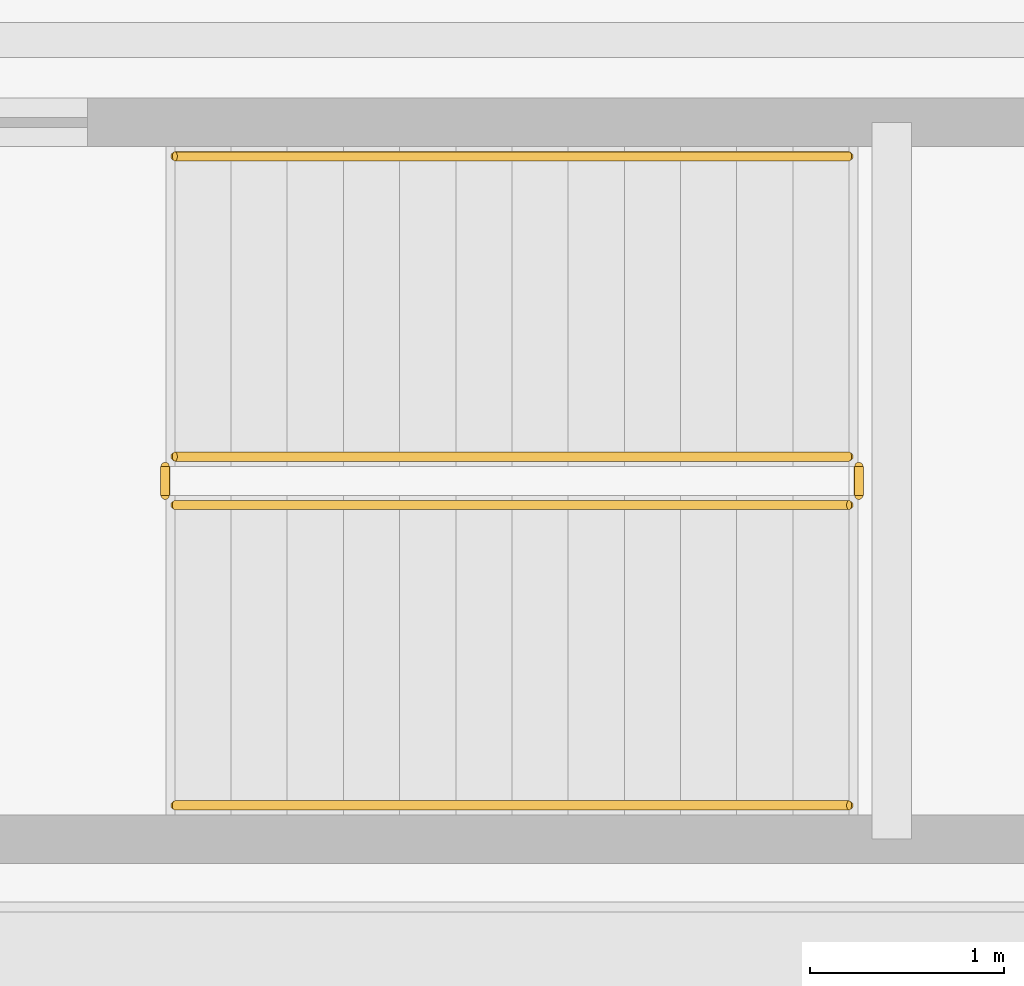
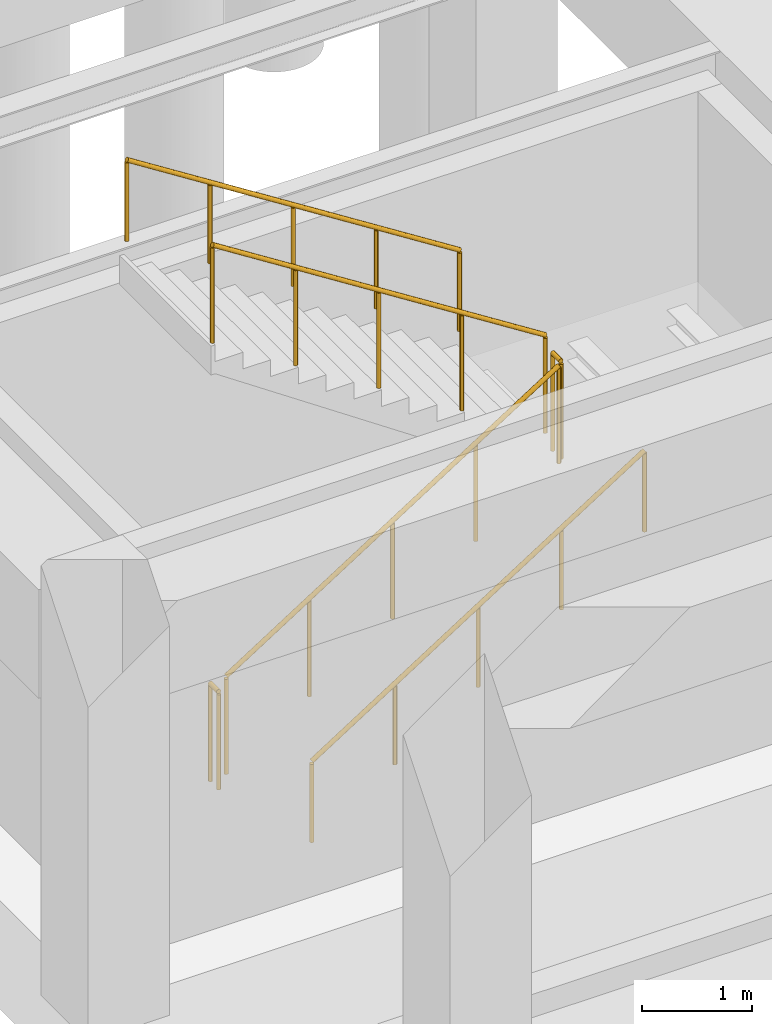
# One storey, part 46 of 56: 6 railings.
"""IFC4 building model written with IfcOpenShell, lengths in metres."""

from ifc_helpers import new_model, si_unit, direction, frame, origin, origin_2d, place, context, subcontext, project, spatial, circle, extrude, material, type_object, element, save


model = new_model("IFC4")

# Units and contexts
model_context = context("Model", 3, precision=1e-05, world=origin(), true_north=direction((0.0, 1.0)))
body_context = subcontext(model_context, "Body", "Model", "MODEL_VIEW")
ifc_project = project(units=[si_unit("LENGTHUNIT", "METRE"), si_unit("AREAUNIT", "SQUARE_METRE"), si_unit("VOLUMEUNIT", "CUBIC_METRE"), si_unit("PLANEANGLEUNIT", "RADIAN"), si_unit("MASSUNIT", "GRAM", prefix="KILO")], contexts=[model_context])

# Site, building, storey
site_placement = place(None, origin())
site = spatial("IfcSite", under=ifc_project, at=site_placement, CompositionType="ELEMENT")
building_placement = place(site_placement, origin())
building = spatial("IfcBuilding", under=site, at=building_placement, Name="Mavantir Sound Aquarium", CompositionType="ELEMENT")
storey_placement = place(building_placement, frame((0.0, 0.0, -9.60009765625)))
storey = spatial("IfcBuildingStorey", under=building, at=storey_placement, Name="B2", CompositionType="ELEMENT", Elevation=-9.60009765625)

# Railings
ifc_material_1 = material(Name="Stainless Steel 316 and Laminated Glass Guardrail", Category="steel")
railing_type_1 = type_object("IfcRailingType", Name="RL-GUARD-110", PredefinedType="GUARDRAIL", material=ifc_material_1)
railing_1_placement = place(storey_placement, frame((38.64990234375, 43.199951171875, 0.184814453125)))
element("IfcRailing", 1, at=railing_1_placement, inside=storey, type_object=railing_type_1, Name="B2 ST8 stair guard 1", PredefinedType="GUARDRAIL", context=body_context, shape_type="SweptSolid", body=[
    extrude(circle(Radius=0.02392578125, at=origin_2d()), frame((0.0, 0.0, 1.076171875), z_axis=(0.843573748531, 0.0, 0.537013343214), x_axis=(0.0, 1.0, 0.0)), (0.0, 0.0, 1.0), 4.125244140625),
    extrude(circle(Radius=0.02099609375, at=origin_2d()), origin(), (0.0, 0.0, 1.0), 1.052001953125),
    extrude(circle(Radius=0.02099609375, at=origin_2d()), frame((0.8701171875, 0.0, 0.5537109375)), (0.0, 0.0, 1.0), 1.052001953125),
    extrude(circle(Radius=0.02099609375, at=origin_2d()), frame((1.739990234375, 0.0, 1.107666015625)), (0.0, 0.0, 1.0), 1.052001953125),
    extrude(circle(Radius=0.02099609375, at=origin_2d()), frame((2.60986328125, 0.0, 1.66162109375)), (0.0, 0.0, 1.0), 1.052001953125),
    extrude(circle(Radius=0.02099609375, at=origin_2d()), frame((3.47998046875, 0.0, 2.21533203125)), (0.0, 0.0, 1.0), 1.052001953125),
])
railing_2_placement = place(storey_placement, frame((42.179931640625, 43.25, 2.400146484375)))
element("IfcRailing", 2, at=railing_2_placement, inside=storey, type_object=railing_type_1, Name="B2 ST8 stair guard 2", PredefinedType="GUARDRAIL", context=body_context, shape_type="SweptSolid", body=[
    extrude(circle(Radius=0.02392578125, at=origin_2d()), frame((0.0, 0.0, 1.076171875), z_axis=(0.0, 1.0, 0.0), x_axis=(-1.0, 0.0, 0.0)), (0.0, 0.0, 1.0), 0.14990234375),
    extrude(circle(Radius=0.02099609375, at=origin_2d()), origin(), (0.0, 0.0, 1.0), 1.052001953125),
    extrude(circle(Radius=0.02099609375, at=origin_2d()), frame((0.0, 0.14990234375, 0.0)), (0.0, 0.0, 1.0), 1.052001953125),
])
railing_3_placement = place(storey_placement, frame((42.1298828125, 43.449951171875, 2.584716796875)))
element("IfcRailing", 3, at=railing_3_placement, inside=storey, type_object=railing_type_1, Name="B2 ST8 stair guard 3", PredefinedType="GUARDRAIL", context=body_context, shape_type="SweptSolid", body=[
    extrude(circle(Radius=0.02392578125, at=origin_2d()), frame((0.0, 0.0, 1.076171875), z_axis=(-0.843573748531, 0.0, 0.537013343214), x_axis=(0.0, -1.0, 0.0)), (0.0, 0.0, 1.0), 4.125244140625),
    extrude(circle(Radius=0.02099609375, at=origin_2d()), origin(), (0.0, 0.0, 1.0), 1.052001953125),
    extrude(circle(Radius=0.02099609375, at=origin_2d()), frame((-0.8701171875, 0.0, 0.5537109375)), (0.0, 0.0, 1.0), 1.052001953125),
    extrude(circle(Radius=0.02099609375, at=origin_2d()), frame((-1.739990234375, 0.0, 1.107666015625)), (0.0, 0.0, 1.0), 1.052001953125),
    extrude(circle(Radius=0.02099609375, at=origin_2d()), frame((-2.60986328125, 0.0, 1.66162109375)), (0.0, 0.0, 1.0), 1.052001953125),
    extrude(circle(Radius=0.02099609375, at=origin_2d()), frame((-3.47998046875, 0.0, 2.21533203125)), (0.0, 0.0, 1.0), 1.052001953125),
])
railing_4_placement = place(storey_placement, frame((38.60009765625, 43.25, 0.0)))
element("IfcRailing", 4, at=railing_4_placement, inside=storey, type_object=railing_type_1, Name="B2 ST8 stair guard 4", PredefinedType="GUARDRAIL", context=body_context, shape_type="SweptSolid", body=[
    extrude(circle(Radius=0.02392578125, at=origin_2d()), frame((0.0, 0.0, 1.076171875), z_axis=(0.0, 1.0, 0.0), x_axis=(-1.0, 0.0, 0.0)), (0.0, 0.0, 1.0), 0.14990234375),
    extrude(circle(Radius=0.02099609375, at=origin_2d()), origin(), (0.0, 0.0, 1.0), 1.052001953125),
    extrude(circle(Radius=0.02099609375, at=origin_2d()), frame((0.0, 0.14990234375, 0.0)), (0.0, 0.0, 1.0), 1.052001953125),
])
ifc_material_2 = material(Name="Brushed Stainless Steel 316 Handrail", Category="steel")
railing_type_2 = type_object("IfcRailingType", Name="RL-HR-90", PredefinedType="HANDRAIL", material=ifc_material_2)
railing_5_placement = place(storey_placement, frame((38.64990234375, 41.64990234375, 0.36962890625)))
element("IfcRailing", 5, at=railing_5_placement, inside=storey, type_object=railing_type_2, Name="B2 ST8 stair handrail 1", PredefinedType="HANDRAIL", context=body_context, shape_type="SweptSolid", body=[
    extrude(circle(Radius=0.02392578125, at=origin_2d()), frame((0.0, 0.0, 0.89111328125), z_axis=(0.843546938479, 0.0, 0.53705545578), x_axis=(0.0, 1.0, 0.0)), (0.0, 0.0, 1.0), 4.12548828125),
    extrude(circle(Radius=0.02099609375, at=origin_2d()), origin(), (0.0, 0.0, 1.0), 0.866943359375),
    extrude(circle(Radius=0.02099609375, at=origin_2d()), frame((0.8701171875, 0.0, 0.553955078125)), (0.0, 0.0, 1.0), 0.866943359375),
    extrude(circle(Radius=0.02099609375, at=origin_2d()), frame((1.739990234375, 0.0, 1.10791015625)), (0.0, 0.0, 1.0), 0.866943359375),
    extrude(circle(Radius=0.02099609375, at=origin_2d()), frame((2.60986328125, 0.0, 1.66162109375)), (0.0, 0.0, 1.0), 0.866943359375),
    extrude(circle(Radius=0.02099609375, at=origin_2d()), frame((3.47998046875, 0.0, 2.215576171875)), (0.0, 0.0, 1.0), 0.866943359375),
])
railing_6_placement = place(storey_placement, frame((42.1298828125, 45.0, 2.769775390625)))
element("IfcRailing", 6, at=railing_6_placement, inside=storey, type_object=railing_type_2, Name="B2 ST8 stair handrail 2", PredefinedType="HANDRAIL", context=body_context, shape_type="SweptSolid", body=[
    extrude(circle(Radius=0.02392578125, at=origin_2d()), frame((0.0, 0.0, 0.89111328125), z_axis=(-0.843573748531, 0.0, 0.537013343214), x_axis=(0.0, -1.0, 0.0)), (0.0, 0.0, 1.0), 4.125244140625),
    extrude(circle(Radius=0.02099609375, at=origin_2d()), origin(), (0.0, 0.0, 1.0), 0.866943359375),
    extrude(circle(Radius=0.02099609375, at=origin_2d()), frame((-0.8701171875, 0.0, 0.5537109375)), (0.0, 0.0, 1.0), 0.866943359375),
    extrude(circle(Radius=0.02099609375, at=origin_2d()), frame((-1.739990234375, 0.0, 1.107666015625)), (0.0, 0.0, 1.0), 0.866943359375),
    extrude(circle(Radius=0.02099609375, at=origin_2d()), frame((-2.60986328125, 0.0, 1.66162109375)), (0.0, 0.0, 1.0), 0.866943359375),
    extrude(circle(Radius=0.02099609375, at=origin_2d()), frame((-3.47998046875, 0.0, 2.21533203125)), (0.0, 0.0, 1.0), 0.866943359375),
])

save(model, "model.ifc")
